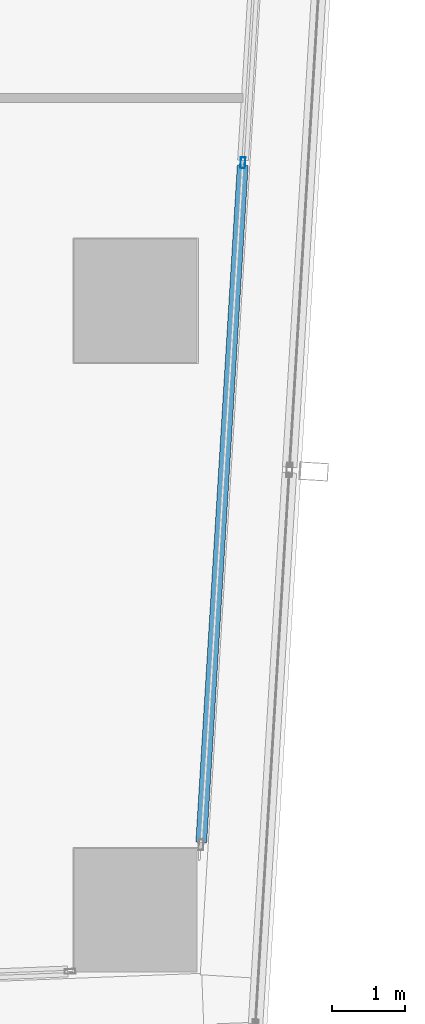
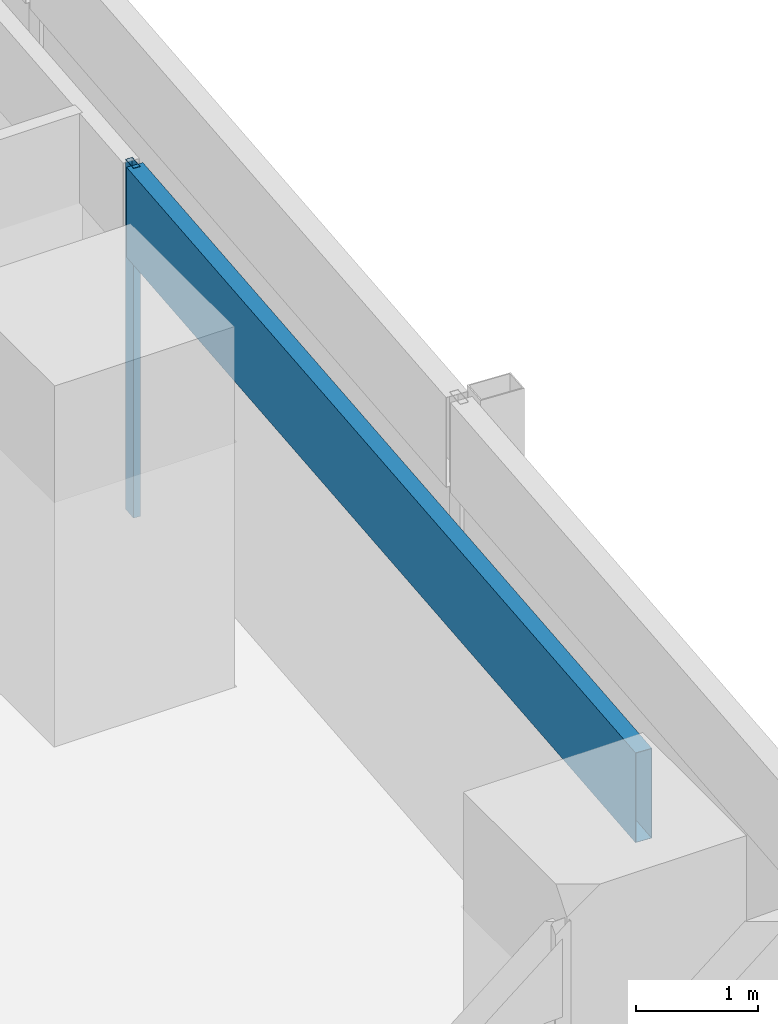
# One storey, part 13 of 40: 2 members, 1 element without a shape of its own.
"""IFC4 building model written with IfcOpenShell, lengths in metres."""

from ifc_helpers import new_model, si_unit, direction, frame, origin, origin_2d, place, context, subcontext, project, spatial, hollow_rectangle, extrude, material, material_profile, profile_set, type_object, element, aggregate, save


model = new_model("IFC4")

# Units and contexts
model_context = context("Model", 3, precision=1e-05, world=origin(), true_north=direction((0.0, 1.0)))
body_context = subcontext(model_context, "Body", "Model", "MODEL_VIEW")
ifc_project = project(units=[si_unit("LENGTHUNIT", "METRE"), si_unit("AREAUNIT", "SQUARE_METRE"), si_unit("VOLUMEUNIT", "CUBIC_METRE"), si_unit("PLANEANGLEUNIT", "RADIAN"), si_unit("MASSUNIT", "GRAM", prefix="KILO")], contexts=[model_context])

# Site, building, storey
site_placement = place(None, origin())
site = spatial("IfcSite", under=ifc_project, at=site_placement, CompositionType="ELEMENT")
building_placement = place(site_placement, origin())
building = spatial("IfcBuilding", under=site, at=building_placement, Name="Rekha Terrace Tower", CompositionType="ELEMENT")
storey_placement = place(building_placement, frame((0.0, 0.0, 140.300048828125)))
storey = spatial("IfcBuildingStorey", under=building, at=storey_placement, Name="L35", CompositionType="ELEMENT", Elevation=140.300048828125)

# Curtain wall, members
ifc_material_1 = material(Name="Aluminium framing", Category="aluminium")
curtain_wall_type = type_object("IfcCurtainWallType", Name="CW1 double skin inner glazing", PredefinedType="USERDEFINED", material=ifc_material_1)
curtain_wall_placement = place(storey_placement, origin())
curtain_wall = element("IfcCurtainWall", 1, at=curtain_wall_placement, inside=storey, type_object=curtain_wall_type, Name="CW1 double skin inner glazing", ObjectType="DOUBLE SKIN INNER GLAZING", PredefinedType="USERDEFINED")
ifc_material_2 = material(Name="Aluminium mullion section", Category="aluminium")
ifc_material_profile_1 = material_profile(ifc_material_2, hollow_rectangle(XDim=0.06494140625, YDim=0.14990234375, WallThickness=0.00390625, at=origin_2d()), Name="AL RHS 65x150")
ifc_profile_set_1 = profile_set([ifc_material_profile_1], Name="Aluminium mullion section")
member_type_1 = type_object("IfcMemberType", Name="CW1 mullion RHS 65 x 150", PredefinedType="MULLION", material=ifc_profile_set_1)
member_1_placement = place(storey_placement, frame((68.679443359375, 27.101806640625, 0.0), z_axis=(0.0, 0.0, 1.0), x_axis=(-0.998127987024, 0.061159803131, 0.0)))
member_1 = element("IfcMember", 2, at=member_1_placement, type_object=member_type_1, Name="CW1 mullion 2", PredefinedType="MULLION", context=body_context, shape_type="SweptSolid", body=[
    extrude(hollow_rectangle(XDim=0.06494140625, YDim=0.14990234375, WallThickness=0.00390625, at=origin_2d()), origin(), (0.0, 0.0, 1.0), 3.5),
])
ifc_material_3 = material(Name="Insulated aluminium spandrel box", Category="aluminium")
ifc_material_profile_2 = material_profile(ifc_material_3, hollow_rectangle(XDim=0.14990234375, YDim=0.89990234375, WallThickness=0.0029296875, at=origin_2d()), Name="AL SPANDREL BOX 150x900")
ifc_profile_set_2 = profile_set([ifc_material_profile_2], Name="Insulated aluminium spandrel box")
member_type_2 = type_object("IfcMemberType", Name="CW1 spandrel transom 150 x 900", PredefinedType="USERDEFINED", material=ifc_profile_set_2)
member_2_placement = place(storey_placement, frame((68.10546875, 17.731689453125, 3.050048828125), z_axis=(0.061145082926, 0.998128888889, 0.0), x_axis=(-0.998128888889, 0.061145082926, 0.0)))
member_2 = element("IfcMember", 3, at=member_2_placement, type_object=member_type_2, Name="CW1 spandrel transom 1", ObjectType="TRANSOM", PredefinedType="USERDEFINED", context=body_context, shape_type="SweptSolid", body=[
    extrude(hollow_rectangle(XDim=0.14990234375, YDim=0.89990234375, WallThickness=0.0029296875, at=origin_2d()), origin(), (0.0, 0.0, 1.0), 9.355224609375),
])
aggregate(curtain_wall, [member_1, member_2])

save(model, "model.ifc")
